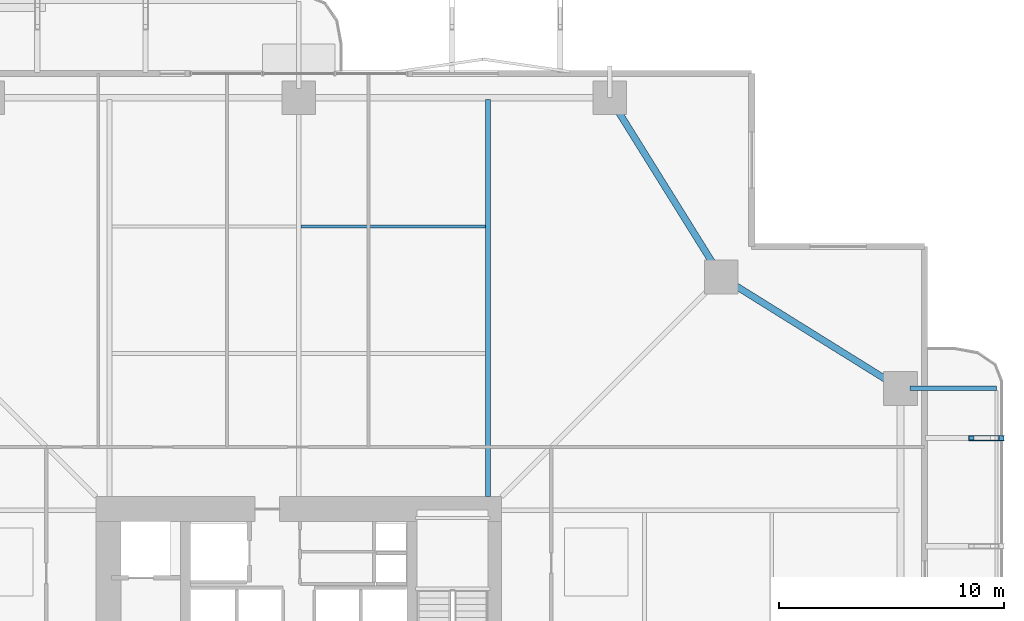
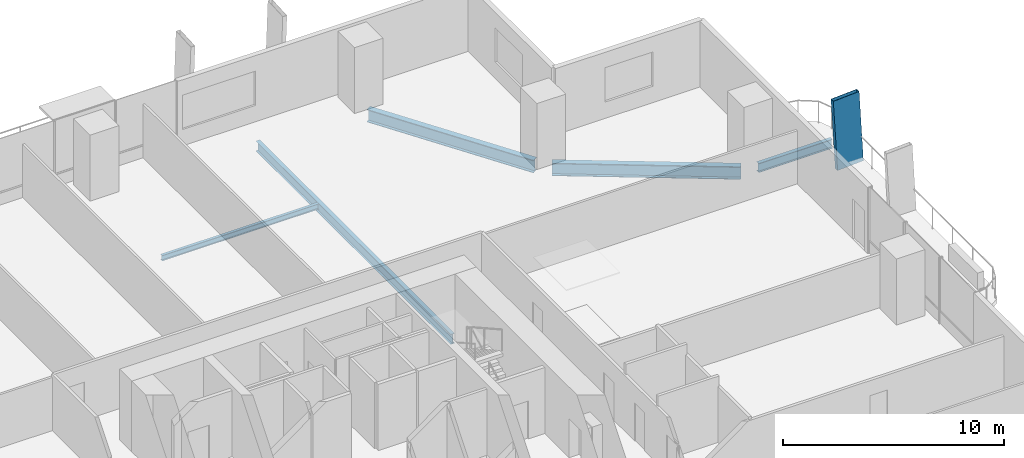
# One storey, part 14 of 24: 5 beams, 1 member.
"""IFC4 building model written with IfcOpenShell, lengths in metres."""

import ifcopenshell
import ifcopenshell.guid

model = None  # the IFC model being written
_history = None  # IfcOwnerHistory: only IFC2X3 demands one
_inside = {}  # id of a spatial element -> (the spatial element, [elements in it])
_under = {}  # id of a project, library or spatial element -> (it, [spatial elements below it])
_declared = {}  # id of a project -> (the project, [libraries it declares])
_typed = {}  # id of a type object -> (the type object, [elements of that type])
_made_of = {}  # id of a material, layer set ... -> (it, [elements and type objects made of it])


def new_model(schema):
    """Start an empty IFC model of exactly this schema.

    Asked for "IFC4X3", IfcOpenShell would pick the latest addendum, in which some entities
    have other attributes; the version numbers below select the first issue.
    IFC2X3 requires an IfcOwnerHistory on every rooted entity: one is made here for all.
    """
    global model, _history
    if schema == "IFC4X3":
        model = ifcopenshell.file(schema_version=(4, 3, 0, 0))
    else:
        model = ifcopenshell.file(schema=schema)
    _inside.clear()
    _under.clear()
    _declared.clear()
    _typed.clear()
    _made_of.clear()
    _history = None
    if model.schema == "IFC2X3":
        org = make("IfcOrganization", Name="unknown")
        user = make(
            "IfcPersonAndOrganization",
            ThePerson=make("IfcPerson", FamilyName="unknown"),
            TheOrganization=org,
        )
        app = make(
            "IfcApplication",
            ApplicationDeveloper=org,
            Version="unknown",
            ApplicationFullName="unknown",
            ApplicationIdentifier="unknown",
        )
        _history = make(
            "IfcOwnerHistory",
            OwningUser=user,
            OwningApplication=app,
            ChangeAction="ADDED",
            CreationDate=0,
        )
    return model


def make(cls, **values):
    """One entity of the class cls with the attributes given. An attribute that is None is left unset."""
    return model.create_entity(
        cls, **{name: value for name, value in values.items() if value is not None}
    )


def rooted(cls, **values):
    """An entity with a GlobalId (a new one), such as an element, a storey or a relation."""
    return make(cls, GlobalId=ifcopenshell.guid.new(), OwnerHistory=_history, **values)


def si_unit(unit_type, name, prefix=None):
    """IfcSIUnit, for example si_unit("LENGTHUNIT", "METRE", prefix="MILLI")."""
    return make("IfcSIUnit", UnitType=unit_type, Prefix=prefix, Name=name)


def assignment(units):
    """IfcUnitAssignment: the units of a project."""
    return None if units is None else make("IfcUnitAssignment", Units=units)


def point(xyz):
    """IfcCartesianPoint."""
    return None if xyz is None else make("IfcCartesianPoint", Coordinates=xyz)


def direction(xyz):
    """IfcDirection."""
    return None if xyz is None else make("IfcDirection", DirectionRatios=xyz)


def frame(location, z_axis=None, x_axis=None):
    """IfcAxis2Placement3D, a coordinate frame: its origin and axes. An axis left out is left unset."""
    return make(
        "IfcAxis2Placement3D",
        Location=point(location),
        Axis=direction(z_axis),
        RefDirection=direction(x_axis),
    )


def frame_2d(location, x_axis=None):
    """IfcAxis2Placement2D, a coordinate frame in the plane: its origin and x axis."""
    return make(
        "IfcAxis2Placement2D", Location=point(location), RefDirection=direction(x_axis)
    )


def origin():
    """The frame at (0, 0, 0) with its axes left unset."""
    return frame((0.0, 0.0, 0.0))


def origin_2d():
    """The frame at (0, 0) in the plane with its x axis left unset."""
    return frame_2d((0.0, 0.0))


def place(relative_to, where):
    """IfcLocalPlacement: puts the frame where relative to a parent placement (None: the world)."""
    return make(
        "IfcLocalPlacement", PlacementRelTo=relative_to, RelativePlacement=where
    )


def context(
    kind, dimensions, precision=None, world=None, true_north=None, identifier=None
):
    """IfcGeometricRepresentationContext, for example the 3D "Model" context."""
    return make(
        "IfcGeometricRepresentationContext",
        ContextIdentifier=identifier,
        ContextType=kind,
        CoordinateSpaceDimension=dimensions,
        Precision=precision,
        WorldCoordinateSystem=world,
        TrueNorth=true_north,
    )


def subcontext(parent, identifier, kind, view, scale=None):
    """IfcGeometricRepresentationSubContext, for example "Body" below "Model"."""
    return make(
        "IfcGeometricRepresentationSubContext",
        ContextIdentifier=identifier,
        ContextType=kind,
        ParentContext=parent,
        TargetScale=scale,
        TargetView=view,
    )


def project(units=None, contexts=None):
    """IfcProject with its units and contexts."""
    return rooted(
        "IfcProject",
        Name="project",
        RepresentationContexts=contexts,
        UnitsInContext=assignment(units),
    )


def spatial(cls, under=None, at=None, **own):
    """A site, building, storey or space (cls), placed at a placement, below another one or the project."""
    s = rooted(cls, ObjectPlacement=at, **own)
    if under is not None:
        _under.setdefault(under.id(), (under, []))[1].append(s)
    return s


def profile(cls, at=None, kind="AREA", **sizes):
    """A parametric profile (cls). Its sizes go by their IFC names, for example OverallWidth=200.0."""
    return make(cls, ProfileType=kind, Position=at, **sizes)


def hollow_rectangle(**sizes):
    """IfcRectangleHollowProfileDef."""
    return profile("IfcRectangleHollowProfileDef", **sizes)


def i_section(**sizes):
    """IfcIShapeProfileDef."""
    return profile("IfcIShapeProfileDef", **sizes)


def extrude(swept, where, along, depth):
    """IfcExtrudedAreaSolid: the profile swept, set in the frame where, extruded along a direction by depth."""
    return make(
        "IfcExtrudedAreaSolid",
        SweptArea=swept,
        Position=where,
        ExtrudedDirection=direction(along),
        Depth=depth,
    )


def shape(context_of_items, identifier, shape_type, items):
    """IfcShapeRepresentation: the items that make up one representation, for example the "Body"."""
    return make(
        "IfcShapeRepresentation",
        ContextOfItems=context_of_items,
        RepresentationIdentifier=identifier,
        RepresentationType=shape_type,
        Items=items,
    )


def material(Name=None, Category=None):
    """IfcMaterial."""
    return make("IfcMaterial", Name=Name, Category=Category)


def material_profile(
    of_material, cross_section, Name=None, Category=None, Priority=None
):
    """IfcMaterialProfile: a cross section and its material."""
    return make(
        "IfcMaterialProfile",
        Name=Name,
        Material=of_material,
        Profile=cross_section,
        Priority=Priority,
        Category=Category,
    )


def profile_set(profiles, Name=None, composite=None):
    """IfcMaterialProfileSet."""
    return make(
        "IfcMaterialProfileSet",
        Name=Name,
        MaterialProfiles=profiles,
        CompositeProfile=composite,
    )


def made_of(thing, what):
    """Note that an element or type object is made of a material, layer set ...; save() writes the relation."""
    if what is not None:
        _made_of.setdefault(what.id(), (what, []))[1].append(thing)
    return thing


def type_object(cls, material=None, **own):
    """A type object (cls), such as IfcWallType, which elements share."""
    return made_of(rooted(cls, **own), material)


def element(
    cls,
    number,
    at=None,
    inside=None,
    cuts=None,
    type_object=None,
    material=None,
    context=None,
    identifier="Body",
    shape_type=None,
    held_by="IfcProductDefinitionShape",
    body=None,
    shapes=None,
    **own,
):
    """One element of the class cls, such as IfcWall. Its Tag is "e" and its number.

    at: its placement. inside: the storey or other place that contains it. cuts: it is an
    opening in that element (IfcRelVoidsElement). A single representation is given by context,
    identifier, shape_type and body (its items); several are given by shapes. held_by: the class
    of the entity that holds the representations. save() writes the other relations.
    """
    e = rooted(cls, Tag="e%d" % number, ObjectPlacement=at, **own)
    if body is not None:
        shapes = [shape(context, identifier, shape_type, body)]
    if shapes is not None:
        e.Representation = make(held_by, Representations=shapes)
    if inside is not None:
        _inside.setdefault(inside.id(), (inside, []))[1].append(e)
    if cuts is not None:
        rooted(
            "IfcRelVoidsElement", RelatingBuildingElement=cuts, RelatedOpeningElement=e
        )
    if type_object is not None:
        _typed.setdefault(type_object.id(), (type_object, []))[1].append(e)
    return made_of(e, material)


def aggregate(whole, parts):
    """IfcRelAggregates: a whole, such as a stair, and the parts it consists of."""
    return rooted("IfcRelAggregates", RelatingObject=whole, RelatedObjects=parts)


def save(model, path):
    """Write the relations noted so far, then the file.

    IfcRelAggregates (storeys below a building ...), IfcRelContainedInSpatialStructure (elements
    in a storey), IfcRelDefinesByType, IfcRelAssociatesMaterial and IfcRelDeclares: one each for
    every whole, place, type object, material and project.
    """
    for whole, parts in _under.values():
        aggregate(whole, parts)
    for where, things in _inside.values():
        rooted(
            "IfcRelContainedInSpatialStructure",
            RelatedElements=things,
            RelatingStructure=where,
        )
    for kind, things in _typed.values():
        rooted("IfcRelDefinesByType", RelatedObjects=things, RelatingType=kind)
    for what, things in _made_of.values():
        rooted("IfcRelAssociatesMaterial", RelatedObjects=things, RelatingMaterial=what)
    for by, libraries in _declared.values():
        rooted("IfcRelDeclares", RelatingContext=by, RelatedDefinitions=libraries)
    model.write(path)


model = new_model("IFC4")

# Units and contexts
model_context = context("Model", 3, precision=1e-05, world=origin(), true_north=direction((0.0, 1.0)))
body_context = subcontext(model_context, "Body", "Model", "MODEL_VIEW")
ifc_project = project(units=[si_unit("LENGTHUNIT", "METRE"), si_unit("AREAUNIT", "SQUARE_METRE"), si_unit("VOLUMEUNIT", "CUBIC_METRE"), si_unit("PLANEANGLEUNIT", "RADIAN"), si_unit("MASSUNIT", "GRAM", prefix="KILO")], contexts=[model_context])

# Site, building, storey
site_placement = place(None, origin())
site = spatial("IfcSite", under=ifc_project, at=site_placement, CompositionType="ELEMENT")
building_placement = place(site_placement, origin())
building = spatial("IfcBuilding", under=site, at=building_placement, Name="Belovzor Exchange Tower", CompositionType="ELEMENT")
storey_placement = place(building_placement, frame((0.0, 0.0, 45.60009765625)))
storey = spatial("IfcBuildingStorey", under=building, at=storey_placement, Name="L10", CompositionType="ELEMENT", Elevation=45.60009765625)

# Member
ifc_material_1 = material(Name="Extruded Architectural Terracotta on Steel S355 Carrier", Category="masonry")
ifc_material_profile_1 = material_profile(ifc_material_1, hollow_rectangle(XDim=0.219970703125, YDim=1.35009765625, WallThickness=0.013916015625, at=origin_2d()))
ifc_profile_set_1 = profile_set([ifc_material_profile_1], Name="Extruded Architectural Terracotta on Steel S355 Carrier")
member_type = type_object("IfcMemberType", Name="Base Arc Sweeping Terracotta Pylon Fin 1450", PredefinedType="USERDEFINED", material=ifc_profile_set_1)
member_placement = place(storey_placement, frame((59.4208984375, 40.39990234375, -0.25), z_axis=(-0.057062249796, 0.0, 0.998370622388), x_axis=(0.0, -1.0, 0.0)))
element("IfcMember", 1, at=member_placement, inside=storey, type_object=member_type, Name="FIN-TC145 Terracotta Facade Fin L10 E4", ObjectType="FIN", PredefinedType="USERDEFINED", context=body_context, shape_type="SweptSolid", body=[
    extrude(hollow_rectangle(XDim=0.219970703125, YDim=1.35009765625, WallThickness=0.013916015625, at=origin_2d()), origin(), (0.0, 0.0, 1.0), 3.90625),
])

# Beams
ifc_material_2 = material(Name="Steel S355", Category="steel")
ifc_material_profile_2 = material_profile(ifc_material_2, i_section(OverallWidth=0.199951171875, OverallDepth=0.5, WebThickness=0.01025390625, FlangeThickness=0.01611328125, at=origin_2d()))
ifc_profile_set_2 = profile_set([ifc_material_profile_2], Name="Steel S355")
beam_type_1 = type_object("IfcBeamType", Name="Planted Balcony Cantilever Beam IPE 500", PredefinedType="BEAM", material=ifc_profile_set_2)
beam_1_placement = place(storey_placement, frame((55.9130859375, 42.60009765625, -0.5), z_axis=(1.0, 0.0, 0.0), x_axis=(0.0, 1.0, 0.0)))
element("IfcBeam", 2, at=beam_1_placement, inside=storey, type_object=beam_type_1, Name="BC-500 Planted Balcony Cantilever Beam IPE 500", PredefinedType="BEAM", context=body_context, shape_type="SweptSolid", body=[
    extrude(i_section(OverallWidth=0.199951171875, OverallDepth=0.5, WebThickness=0.01025390625, FlangeThickness=0.01611328125, at=origin_2d()), origin(), (0.0, 0.0, 1.0), 3.849853515625),
])
ifc_material_3 = material(Name="Steel S355", Category="steel")
ifc_material_profile_3 = material_profile(ifc_material_3, i_section(OverallWidth=0.14990234375, OverallDepth=0.300048828125, WebThickness=0.007080078125, FlangeThickness=0.0107421875, at=origin_2d()))
ifc_profile_set_3 = profile_set([ifc_material_profile_3], Name="Steel S355")
beam_type_2 = type_object("IfcBeamType", Name="Secondary Trim Floor Joist IPE 300", PredefinedType="BEAM", material=ifc_profile_set_3)
beam_2_placement = place(storey_placement, frame((28.905029296875, 49.784912109375, -0.400146484375), z_axis=(1.0, 0.0, 0.0), x_axis=(0.0, 1.0, 0.0)))
element("IfcBeam", 3, at=beam_2_placement, inside=storey, type_object=beam_type_2, Name="FJ-300 Secondary Trim Floor Joist IPE 300", PredefinedType="BEAM", context=body_context, shape_type="SweptSolid", body=[
    extrude(i_section(OverallWidth=0.14990234375, OverallDepth=0.300048828125, WebThickness=0.007080078125, FlangeThickness=0.0107421875, at=origin_2d()), origin(), (0.0, 0.0, 1.0), 8.18994140625),
])
ifc_material_4 = material(Name="Steel S355", Category="steel")
ifc_material_profile_4 = material_profile(ifc_material_4, i_section(OverallWidth=0.300048828125, OverallDepth=0.699951171875, WebThickness=0.01708984375, FlangeThickness=0.031982421875, at=origin_2d()))
ifc_profile_set_4 = profile_set([ifc_material_profile_4], Name="Steel S355")
beam_type_3 = type_object("IfcBeamType", Name="Zone 1 Primary Perimeter Girder HEB 700", PredefinedType="BEAM", material=ifc_profile_set_4)
for number, where, z_axis, x_axis, name in (
    (4, (55.14990234375, 42.818115234375, -0.60009765625), (-0.848909251292, 0.528538629686, 0.0), (-0.528538629686, -0.848909251292, 0.0), "FG-Z1 Zone 1 Primary Perimeter Girder HEB 700"),
    (5, (47.33203125, 47.89990234375, -0.60009765625), (-0.528538629686, 0.848909251292, 0.0), (-0.848909251292, -0.528538629686, 0.0), "FG-Z1 Zone 1 Primary Perimeter Girder HEB 700"),
):
    element("IfcBeam", number, at=place(storey_placement, frame(where, z_axis=z_axis, x_axis=x_axis)), inside=storey, type_object=beam_type_3, Name=name, PredefinedType="BEAM", context=body_context, shape_type="SweptSolid", body=[
        extrude(i_section(OverallWidth=0.300048828125, OverallDepth=0.699951171875, WebThickness=0.01708984375, FlangeThickness=0.031982421875, at=origin_2d()), origin(), (0.0, 0.0, 1.0), 8.540283203125),
    ])
ifc_material_5 = material(Name="Steel S355", Category="steel")
ifc_material_profile_5 = material_profile(ifc_material_5, i_section(OverallWidth=0.2099609375, OverallDepth=0.550048828125, WebThickness=0.010986328125, FlangeThickness=0.01708984375, at=origin_2d()))
ifc_profile_set_5 = profile_set([ifc_material_profile_5], Name="Steel S355")
beam_type_4 = type_object("IfcBeamType", Name="Zone 1 Radial Composite Floor Beam IPE 550", PredefinedType="BEAM", material=ifc_profile_set_5)
beam_3_placement = place(storey_placement, frame((37.199951171875, 37.800048828125, -0.525146484375), z_axis=(0.0, 1.0, 0.0), x_axis=(-1.0, 0.0, 0.0)))
element("IfcBeam", 6, at=beam_3_placement, inside=storey, type_object=beam_type_4, Name="FB-550 Zone 1 Radial Composite Floor Beam IPE 550", PredefinedType="BEAM", context=body_context, shape_type="SweptSolid", body=[
    extrude(i_section(OverallWidth=0.2099609375, OverallDepth=0.550048828125, WebThickness=0.010986328125, FlangeThickness=0.01708984375, at=origin_2d()), origin(), (0.0, 0.0, 1.0), 17.625),
])

save(model, "model.ifc")
